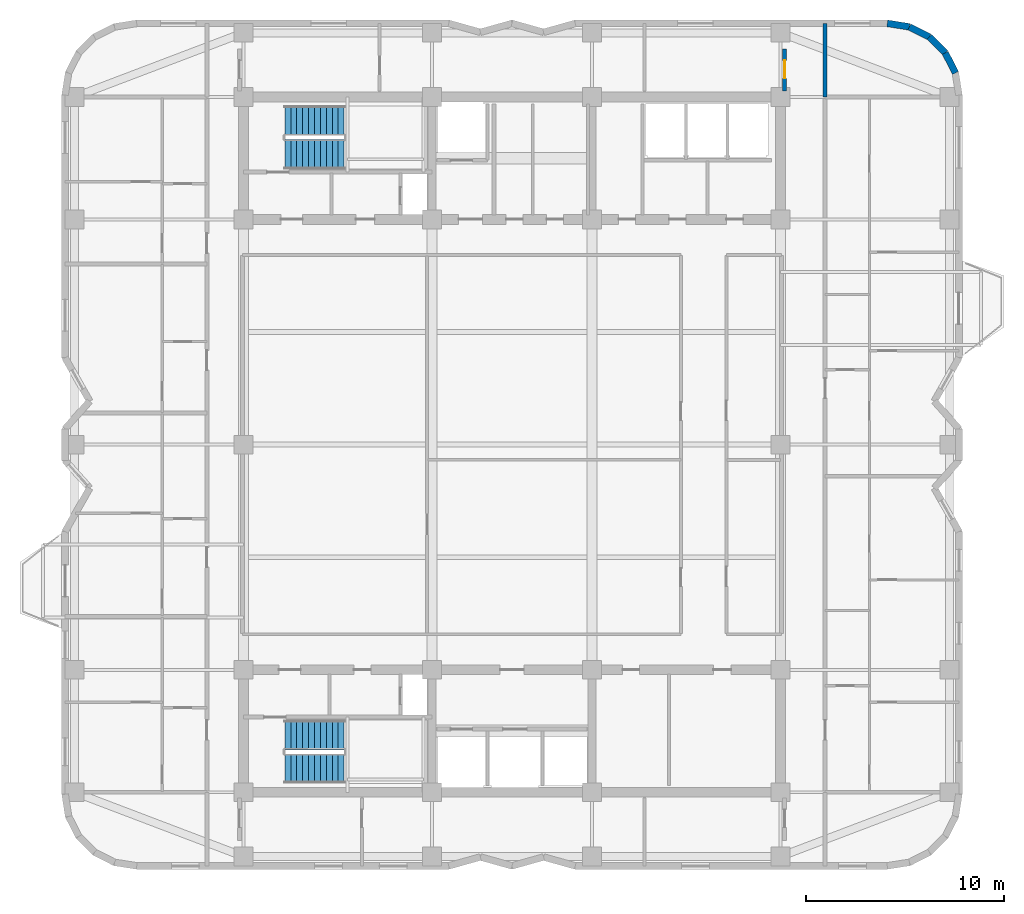
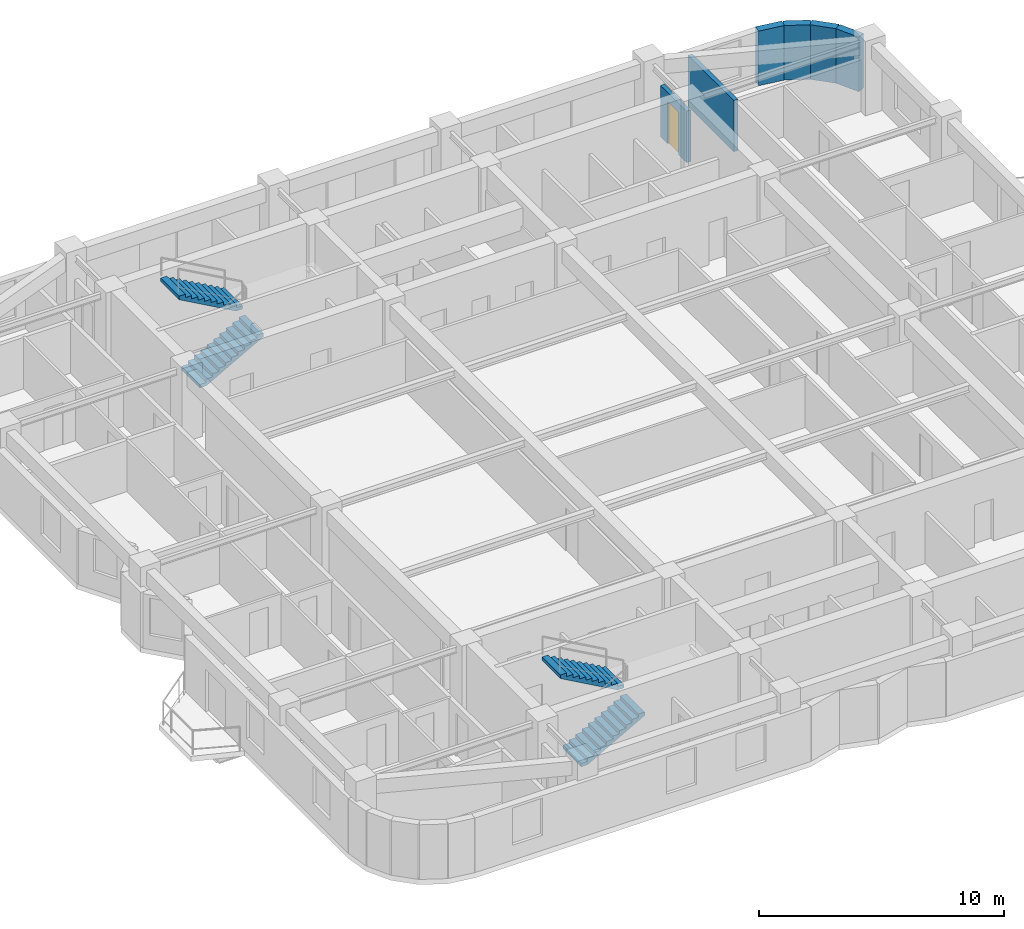
# One storey, part 7 of 9: 6 walls, 4 stair flights, 1 door, 1 opening, 2 elements without a shape of their own.
"""IFC4 building model written with IfcOpenShell, lengths in metres."""

import ifcopenshell
import ifcopenshell.guid

model = None  # the IFC model being written
_history = None  # IfcOwnerHistory: only IFC2X3 demands one
_inside = {}  # id of a spatial element -> (the spatial element, [elements in it])
_under = {}  # id of a project, library or spatial element -> (it, [spatial elements below it])
_declared = {}  # id of a project -> (the project, [libraries it declares])
_typed = {}  # id of a type object -> (the type object, [elements of that type])
_made_of = {}  # id of a material, layer set ... -> (it, [elements and type objects made of it])


def new_model(schema):
    """Start an empty IFC model of exactly this schema.

    Asked for "IFC4X3", IfcOpenShell would pick the latest addendum, in which some entities
    have other attributes; the version numbers below select the first issue.
    IFC2X3 requires an IfcOwnerHistory on every rooted entity: one is made here for all.
    """
    global model, _history
    if schema == "IFC4X3":
        model = ifcopenshell.file(schema_version=(4, 3, 0, 0))
    else:
        model = ifcopenshell.file(schema=schema)
    _inside.clear()
    _under.clear()
    _declared.clear()
    _typed.clear()
    _made_of.clear()
    _history = None
    if model.schema == "IFC2X3":
        org = make("IfcOrganization", Name="unknown")
        user = make(
            "IfcPersonAndOrganization",
            ThePerson=make("IfcPerson", FamilyName="unknown"),
            TheOrganization=org,
        )
        app = make(
            "IfcApplication",
            ApplicationDeveloper=org,
            Version="unknown",
            ApplicationFullName="unknown",
            ApplicationIdentifier="unknown",
        )
        _history = make(
            "IfcOwnerHistory",
            OwningUser=user,
            OwningApplication=app,
            ChangeAction="ADDED",
            CreationDate=0,
        )
    return model


def make(cls, **values):
    """One entity of the class cls with the attributes given. An attribute that is None is left unset."""
    return model.create_entity(
        cls, **{name: value for name, value in values.items() if value is not None}
    )


def rooted(cls, **values):
    """An entity with a GlobalId (a new one), such as an element, a storey or a relation."""
    return make(cls, GlobalId=ifcopenshell.guid.new(), OwnerHistory=_history, **values)


def si_unit(unit_type, name, prefix=None):
    """IfcSIUnit, for example si_unit("LENGTHUNIT", "METRE", prefix="MILLI")."""
    return make("IfcSIUnit", UnitType=unit_type, Prefix=prefix, Name=name)


def assignment(units):
    """IfcUnitAssignment: the units of a project."""
    return None if units is None else make("IfcUnitAssignment", Units=units)


def point(xyz):
    """IfcCartesianPoint."""
    return None if xyz is None else make("IfcCartesianPoint", Coordinates=xyz)


def direction(xyz):
    """IfcDirection."""
    return None if xyz is None else make("IfcDirection", DirectionRatios=xyz)


def frame(location, z_axis=None, x_axis=None):
    """IfcAxis2Placement3D, a coordinate frame: its origin and axes. An axis left out is left unset."""
    return make(
        "IfcAxis2Placement3D",
        Location=point(location),
        Axis=direction(z_axis),
        RefDirection=direction(x_axis),
    )


def frame_2d(location, x_axis=None):
    """IfcAxis2Placement2D, a coordinate frame in the plane: its origin and x axis."""
    return make(
        "IfcAxis2Placement2D", Location=point(location), RefDirection=direction(x_axis)
    )


def origin():
    """The frame at (0, 0, 0) with its axes left unset."""
    return frame((0.0, 0.0, 0.0))


def place(relative_to, where):
    """IfcLocalPlacement: puts the frame where relative to a parent placement (None: the world)."""
    return make(
        "IfcLocalPlacement", PlacementRelTo=relative_to, RelativePlacement=where
    )


def context(
    kind, dimensions, precision=None, world=None, true_north=None, identifier=None
):
    """IfcGeometricRepresentationContext, for example the 3D "Model" context."""
    return make(
        "IfcGeometricRepresentationContext",
        ContextIdentifier=identifier,
        ContextType=kind,
        CoordinateSpaceDimension=dimensions,
        Precision=precision,
        WorldCoordinateSystem=world,
        TrueNorth=true_north,
    )


def subcontext(parent, identifier, kind, view, scale=None):
    """IfcGeometricRepresentationSubContext, for example "Body" below "Model"."""
    return make(
        "IfcGeometricRepresentationSubContext",
        ContextIdentifier=identifier,
        ContextType=kind,
        ParentContext=parent,
        TargetScale=scale,
        TargetView=view,
    )


def project(units=None, contexts=None):
    """IfcProject with its units and contexts."""
    return rooted(
        "IfcProject",
        Name="project",
        RepresentationContexts=contexts,
        UnitsInContext=assignment(units),
    )


def spatial(cls, under=None, at=None, **own):
    """A site, building, storey or space (cls), placed at a placement, below another one or the project."""
    s = rooted(cls, ObjectPlacement=at, **own)
    if under is not None:
        _under.setdefault(under.id(), (under, []))[1].append(s)
    return s


def polyline(points):
    """IfcPolyline through the points."""
    return make("IfcPolyline", Points=[point(p) for p in points])


def profile(cls, at=None, kind="AREA", **sizes):
    """A parametric profile (cls). Its sizes go by their IFC names, for example OverallWidth=200.0."""
    return make(cls, ProfileType=kind, Position=at, **sizes)


def rectangle(**sizes):
    """IfcRectangleProfileDef."""
    return profile("IfcRectangleProfileDef", **sizes)


def outline(outer, holes=None, kind="AREA"):
    """IfcArbitraryClosedProfileDef: a profile drawn as a closed curve; with holes, ...WithVoids."""
    if holes is None:
        return make("IfcArbitraryClosedProfileDef", ProfileType=kind, OuterCurve=outer)
    return make(
        "IfcArbitraryProfileDefWithVoids",
        ProfileType=kind,
        OuterCurve=outer,
        InnerCurves=holes,
    )


def extrude(swept, where, along, depth):
    """IfcExtrudedAreaSolid: the profile swept, set in the frame where, extruded along a direction by depth."""
    return make(
        "IfcExtrudedAreaSolid",
        SweptArea=swept,
        Position=where,
        ExtrudedDirection=direction(along),
        Depth=depth,
    )


def shape(context_of_items, identifier, shape_type, items):
    """IfcShapeRepresentation: the items that make up one representation, for example the "Body"."""
    return make(
        "IfcShapeRepresentation",
        ContextOfItems=context_of_items,
        RepresentationIdentifier=identifier,
        RepresentationType=shape_type,
        Items=items,
    )


def material(Name=None, Category=None):
    """IfcMaterial."""
    return make("IfcMaterial", Name=Name, Category=Category)


def layer(
    of_material, thickness, ventilated=None, Name=None, Category=None, Priority=None
):
    """IfcMaterialLayer: one layer of a wall or slab, of a material (None: an air gap)."""
    return make(
        "IfcMaterialLayer",
        Material=of_material,
        LayerThickness=thickness,
        IsVentilated=ventilated,
        Name=Name,
        Category=Category,
        Priority=Priority,
    )


def layer_set(layers, Name=None):
    """IfcMaterialLayerSet."""
    return make("IfcMaterialLayerSet", MaterialLayers=layers, LayerSetName=Name)


def made_of(thing, what):
    """Note that an element or type object is made of a material, layer set ...; save() writes the relation."""
    if what is not None:
        _made_of.setdefault(what.id(), (what, []))[1].append(thing)
    return thing


def type_object(cls, material=None, **own):
    """A type object (cls), such as IfcWallType, which elements share."""
    return made_of(rooted(cls, **own), material)


def element(
    cls,
    number,
    at=None,
    inside=None,
    cuts=None,
    type_object=None,
    material=None,
    context=None,
    identifier="Body",
    shape_type=None,
    held_by="IfcProductDefinitionShape",
    body=None,
    shapes=None,
    **own,
):
    """One element of the class cls, such as IfcWall. Its Tag is "e" and its number.

    at: its placement. inside: the storey or other place that contains it. cuts: it is an
    opening in that element (IfcRelVoidsElement). A single representation is given by context,
    identifier, shape_type and body (its items); several are given by shapes. held_by: the class
    of the entity that holds the representations. save() writes the other relations.
    """
    e = rooted(cls, Tag="e%d" % number, ObjectPlacement=at, **own)
    if body is not None:
        shapes = [shape(context, identifier, shape_type, body)]
    if shapes is not None:
        e.Representation = make(held_by, Representations=shapes)
    if inside is not None:
        _inside.setdefault(inside.id(), (inside, []))[1].append(e)
    if cuts is not None:
        rooted(
            "IfcRelVoidsElement", RelatingBuildingElement=cuts, RelatedOpeningElement=e
        )
    if type_object is not None:
        _typed.setdefault(type_object.id(), (type_object, []))[1].append(e)
    return made_of(e, material)


def fill(opening, filler):
    """IfcRelFillsElement: the door or window that sits in an opening."""
    return rooted(
        "IfcRelFillsElement",
        RelatingOpeningElement=opening,
        RelatedBuildingElement=filler,
    )


def aggregate(whole, parts):
    """IfcRelAggregates: a whole, such as a stair, and the parts it consists of."""
    return rooted("IfcRelAggregates", RelatingObject=whole, RelatedObjects=parts)


def save(model, path):
    """Write the relations noted so far, then the file.

    IfcRelAggregates (storeys below a building ...), IfcRelContainedInSpatialStructure (elements
    in a storey), IfcRelDefinesByType, IfcRelAssociatesMaterial and IfcRelDeclares: one each for
    every whole, place, type object, material and project.
    """
    for whole, parts in _under.values():
        aggregate(whole, parts)
    for where, things in _inside.values():
        rooted(
            "IfcRelContainedInSpatialStructure",
            RelatedElements=things,
            RelatingStructure=where,
        )
    for kind, things in _typed.values():
        rooted("IfcRelDefinesByType", RelatedObjects=things, RelatingType=kind)
    for what, things in _made_of.values():
        rooted("IfcRelAssociatesMaterial", RelatedObjects=things, RelatingMaterial=what)
    for by, libraries in _declared.values():
        rooted("IfcRelDeclares", RelatingContext=by, RelatedDefinitions=libraries)
    model.write(path)


model = new_model("IFC4")

# Units and contexts
model_context = context("Model", 3, precision=1e-05, world=origin(), true_north=direction((0.0, 1.0)))
body_context = subcontext(model_context, "Body", "Model", "MODEL_VIEW")
ifc_project = project(units=[si_unit("LENGTHUNIT", "METRE"), si_unit("AREAUNIT", "SQUARE_METRE"), si_unit("VOLUMEUNIT", "CUBIC_METRE"), si_unit("PLANEANGLEUNIT", "RADIAN"), si_unit("MASSUNIT", "GRAM", prefix="KILO")], contexts=[model_context])

# Site, building, storey
site_placement = place(None, origin())
site = spatial("IfcSite", under=ifc_project, at=site_placement, CompositionType="ELEMENT")
building_placement = place(site_placement, origin())
building = spatial("IfcBuilding", under=site, at=building_placement, Name="Svetorya Sky Lyceum", CompositionType="ELEMENT")
storey_placement = place(building_placement, frame((0.0, 0.0, 170.0)))
storey = spatial("IfcBuildingStorey", under=building, at=storey_placement, Name="L42", CompositionType="ELEMENT", Elevation=170.0)

# Walls
ifc_material_1 = material(Name="Putilovo limestone rainscreen on autoclaved cellular masonry", Category="masonry")
ifc_layer_1 = layer(ifc_material_1, 0.340087890625)
ifc_layer_set_1 = layer_set([ifc_layer_1], Name="Putilovo limestone rainscreen on autoclaved cellular masonry")
wall_type_1 = type_object("IfcWallType", Name="WL-EXT-340", PredefinedType="SOLIDWALL", material=ifc_layer_set_1)
wall_1_placement = place(storey_placement, frame((61.65234375, 47.021728515625, 0.0), z_axis=(0.0, 0.0, 1.0), x_axis=(-0.453993402883, 0.891005044957, 0.0)))
element("IfcWall", 1, at=wall_1_placement, inside=storey, type_object=wall_type_1, Name="L42 Limestone Exterior Wall 25M", PredefinedType="SOLIDWALL", context=body_context, shape_type="SweptSolid", body=[
    extrude(rectangle(XDim=1.1357421875, YDim=0.340087890625, at=frame_2d((0.56787109375, 0.0))), origin(), (0.0, 0.0, 1.0), 2.719970703125),
])
wall_2_placement = place(storey_placement, frame((61.13671875, 48.03369140625, 0.0), z_axis=(0.0, 0.0, 1.0), x_axis=(-0.707106781187, 0.707106781187, 0.0)))
element("IfcWall", 2, at=wall_2_placement, inside=storey, type_object=wall_type_1, Name="L42 Limestone Exterior Wall 26M", PredefinedType="SOLIDWALL", context=body_context, shape_type="SweptSolid", body=[
    extrude(rectangle(XDim=1.135498046875, YDim=0.340087890625, at=frame_2d((0.56787109375, 0.0))), origin(), (0.0, 0.0, 1.0), 2.719970703125),
])
for number, where, z_axis, x_axis, name in (
    (3, (60.333740234375, 48.836669921875, 0.0), (0.0, 0.0, 1.0), (-0.891005044957, 0.453993402883, 0.0), "L42 Limestone Exterior Wall 27M"),
    (4, (59.32177734375, 49.352294921875, 0.0), (0.0, 0.0, 1.0), (-0.987680916907, 0.156481329164, 0.0), "L42 Limestone Exterior Wall 28M"),
):
    element("IfcWall", number, at=place(storey_placement, frame(where, z_axis=z_axis, x_axis=x_axis)), inside=storey, type_object=wall_type_1, Name=name, PredefinedType="SOLIDWALL", context=body_context, shape_type="SweptSolid", body=[
        extrude(rectangle(XDim=1.1357421875, YDim=0.340087890625, at=frame_2d((0.56787109375, 0.0))), origin(), (0.0, 0.0, 1.0), 2.719970703125),
    ])
ifc_material_2 = material(Name="Autoclaved cellular masonry blockwork with gypsum plaster", Category="masonry")
ifc_layer_2 = layer(ifc_material_2, 0.199951171875)
ifc_layer_set_2 = layer_set([ifc_layer_2], Name="Autoclaved cellular masonry blockwork with gypsum plaster")
wall_type_2 = type_object("IfcWallType", Name="WL-PART-200", PredefinedType="PARTITIONING", material=ifc_layer_set_2)
wall_3_placement = place(storey_placement, frame((55.050048828125, 45.800048828125, 0.0), z_axis=(0.0, 0.0, 1.0), x_axis=(0.0, 1.0, 0.0)))
element("IfcWall", 5, at=wall_3_placement, inside=storey, type_object=wall_type_2, Name="L42 Interior Partition EC-NE-END", PredefinedType="PARTITIONING", context=body_context, shape_type="SweptSolid", body=[
    extrude(rectangle(XDim=3.72998046875, YDim=0.199951171875, at=frame_2d((1.864990234375, 0.0))), origin(), (0.0, 0.0, 1.0), 2.550048828125),
])

# Wall, opening, door
wall_4_placement = place(storey_placement, frame((53.0, 46.10009765625, 0.0), z_axis=(0.0, 0.0, 1.0), x_axis=(0.0, 1.0, 0.0)))
wall_4 = element("IfcWall", 6, at=wall_4_placement, inside=storey, type_object=wall_type_2, Name="L42 Interior Partition N-EE", PredefinedType="PARTITIONING", context=body_context, shape_type="SweptSolid", body=[
    extrude(rectangle(XDim=2.1298828125, YDim=0.199951171875, at=frame_2d((1.06494140625, 0.0))), origin(), (0.0, 0.0, 1.0), 2.550048828125),
])
opening_placement = place(wall_4_placement, frame((0.64990234375, 0.0, 0.0)))
opening = element("IfcOpeningElement", 7, at=opening_placement, cuts=wall_4, Name="Opening D-RM1", PredefinedType="OPENING", context=body_context, shape_type="SweptSolid", body=[
    extrude(rectangle(XDim=0.89990234375, YDim=2.10009765625, at=frame_2d((0.449951171875, 1.050048828125))), frame((0.0, 0.10986328125, 0.0), z_axis=(0.0, -1.0, 0.0), x_axis=(1.0, 0.0, 0.0)), (0.0, 0.0, 1.0), 0.219970703125),
])
ifc_material_3 = material(Name="Lacquered birch veneer internal door")
door_type = type_object("IfcDoorType", Name="DR-INT-900", OperationType="SINGLE_SWING_LEFT", PredefinedType="DOOR", material=ifc_material_3)
door_placement = place(opening_placement, origin())
door = element("IfcDoor", 8, at=door_placement, inside=storey, type_object=door_type, Name="L42 North Meeting Door", OperationType="SINGLE_SWING_LEFT", OverallHeight=2.10009765625, OverallWidth=0.89990234375, PredefinedType="DOOR", context=body_context, shape_type="SweptSolid", body=[
    extrude(rectangle(XDim=0.89990234375, YDim=2.10009765625, at=frame_2d((0.449951171875, 1.050048828125))), frame((0.0, 0.02490234375, 0.0), z_axis=(0.0, -1.0, 0.0), x_axis=(1.0, 0.0, 0.0)), (0.0, 0.0, 1.0), 0.050048828125),
])
fill(opening, door)

# Stair, stair flights
ifc_material_4 = material(Name="Concrete C40/50", Category="concrete")
stair_type_1 = type_object("IfcStairType", Name="STR-ST-N", PredefinedType="HALF_TURN_STAIR", material=ifc_material_4)
stair_1_placement = place(storey_placement, origin())
stair_1 = element("IfcStair", 9, at=stair_1_placement, inside=storey, type_object=stair_type_1, Name="L42 North Core Smoke-Free Exit Stair N3", PredefinedType="HALF_TURN_STAIR")
stair_flight_type_1 = type_object("IfcStairFlightType", Name="SFL-ST-N", PredefinedType="STRAIGHT", material=ifc_material_4)
stair_flight_1_placement = place(storey_placement, frame((27.699951171875, 42.89990234375, 0.0), z_axis=(0.0, 0.0, 1.0), x_axis=(1.0, 0.0, 0.0)))
stair_flight_1 = element("IfcStairFlight", 10, at=stair_flight_1_placement, type_object=stair_flight_type_1, Name="ST-N flight 1", NumberOfRisers=11, NumberOfTreads=10, PredefinedType="STRAIGHT", RiserHeight=0.168181818, TreadLength=0.3, context=body_context, shape_type="SweptSolid", body=[
    extrude(outline(polyline([(0.0, 0.0), (0.0, 0.168212890625), (0.300048828125, 0.168212890625), (0.300048828125, 0.33642578125), (0.60009765625, 0.33642578125), (0.60009765625, 0.504638671875), (0.89990234375, 0.504638671875), (0.89990234375, 0.672607421875), (1.199951171875, 0.672607421875), (1.199951171875, 0.8408203125), (1.5, 0.8408203125), (1.5, 1.009033203125), (1.800048828125, 1.009033203125), (1.800048828125, 1.17724609375), (2.10009765625, 1.17724609375), (2.10009765625, 1.345458984375), (2.39990234375, 1.345458984375), (2.39990234375, 1.513671875), (2.699951171875, 1.513671875), (2.699951171875, 1.681884765625), (3.0, 1.681884765625), (3.0, 1.85009765625), (3.0, 1.510009765625), (0.306640625, 0.0), (0.0, 0.0)])), frame((0.0, 0.75, 0.0), z_axis=(0.0, -1.0, 0.0), x_axis=(1.0, 0.0, 0.0)), (0.0, 0.0, 1.0), 1.5),
])
stair_flight_2_placement = place(storey_placement, frame((30.699951171875, 44.60009765625, 1.85009765625), z_axis=(0.0, 0.0, 1.0), x_axis=(-1.0, 0.0, 0.0)))
stair_flight_2 = element("IfcStairFlight", 11, at=stair_flight_2_placement, type_object=stair_flight_type_1, Name="ST-N flight 2", NumberOfRisers=11, NumberOfTreads=10, PredefinedType="STRAIGHT", RiserHeight=0.168181818, TreadLength=0.3, context=body_context, shape_type="SweptSolid", body=[
    extrude(outline(polyline([(0.0, 0.0), (0.0, 0.168212890625), (0.300048828125, 0.168212890625), (0.300048828125, 0.33642578125), (0.60009765625, 0.33642578125), (0.60009765625, 0.504638671875), (0.89990234375, 0.504638671875), (0.89990234375, 0.672607421875), (1.199951171875, 0.672607421875), (1.199951171875, 0.8408203125), (1.5, 0.8408203125), (1.5, 1.009033203125), (1.800048828125, 1.009033203125), (1.800048828125, 1.17724609375), (2.10009765625, 1.17724609375), (2.10009765625, 1.345458984375), (2.39990234375, 1.345458984375), (2.39990234375, 1.513671875), (2.699951171875, 1.513671875), (2.699951171875, 1.681884765625), (3.0, 1.681884765625), (3.0, 1.85009765625), (3.0, 1.510009765625), (0.306640625, 0.0), (0.0, 0.0)])), frame((0.0, 0.75, 0.0), z_axis=(0.0, -1.0, 0.0), x_axis=(1.0, 0.0, 0.0)), (0.0, 0.0, 1.0), 1.5),
])
aggregate(stair_1, [stair_flight_1, stair_flight_2])

stair_type_2 = type_object("IfcStairType", Name="STR-ST-S", PredefinedType="HALF_TURN_STAIR", material=ifc_material_4)
stair_2_placement = place(storey_placement, origin())
stair_2 = element("IfcStair", 12, at=stair_2_placement, inside=storey, type_object=stair_type_2, Name="L42 South Core Smoke-Free Exit Stair N2", PredefinedType="HALF_TURN_STAIR")
stair_flight_type_2 = type_object("IfcStairFlightType", Name="SFL-ST-S", PredefinedType="STRAIGHT", material=ifc_material_4)
stair_flight_3_placement = place(storey_placement, frame((27.699951171875, 11.800048828125, 0.0), z_axis=(0.0, 0.0, 1.0), x_axis=(1.0, 0.0, 0.0)))
stair_flight_3 = element("IfcStairFlight", 13, at=stair_flight_3_placement, type_object=stair_flight_type_2, Name="ST-S flight 1", NumberOfRisers=11, NumberOfTreads=10, PredefinedType="STRAIGHT", RiserHeight=0.168181818, TreadLength=0.3, context=body_context, shape_type="SweptSolid", body=[
    extrude(outline(polyline([(0.0, 0.0), (0.0, 0.168212890625), (0.300048828125, 0.168212890625), (0.300048828125, 0.33642578125), (0.60009765625, 0.33642578125), (0.60009765625, 0.504638671875), (0.89990234375, 0.504638671875), (0.89990234375, 0.672607421875), (1.199951171875, 0.672607421875), (1.199951171875, 0.8408203125), (1.5, 0.8408203125), (1.5, 1.009033203125), (1.800048828125, 1.009033203125), (1.800048828125, 1.17724609375), (2.10009765625, 1.17724609375), (2.10009765625, 1.345458984375), (2.39990234375, 1.345458984375), (2.39990234375, 1.513671875), (2.699951171875, 1.513671875), (2.699951171875, 1.681884765625), (3.0, 1.681884765625), (3.0, 1.85009765625), (3.0, 1.510009765625), (0.306640625, 0.0), (0.0, 0.0)])), frame((0.0, 0.75, 0.0), z_axis=(0.0, -1.0, 0.0), x_axis=(1.0, 0.0, 0.0)), (0.0, 0.0, 1.0), 1.5),
])
stair_flight_4_placement = place(storey_placement, frame((30.699951171875, 13.5, 1.85009765625), z_axis=(0.0, 0.0, 1.0), x_axis=(-1.0, 0.0, 0.0)))
stair_flight_4 = element("IfcStairFlight", 14, at=stair_flight_4_placement, type_object=stair_flight_type_2, Name="ST-S flight 2", NumberOfRisers=11, NumberOfTreads=10, PredefinedType="STRAIGHT", RiserHeight=0.168181818, TreadLength=0.3, context=body_context, shape_type="SweptSolid", body=[
    extrude(outline(polyline([(0.0, 0.0), (0.0, 0.168212890625), (0.300048828125, 0.168212890625), (0.300048828125, 0.33642578125), (0.60009765625, 0.33642578125), (0.60009765625, 0.504638671875), (0.89990234375, 0.504638671875), (0.89990234375, 0.672607421875), (1.199951171875, 0.672607421875), (1.199951171875, 0.8408203125), (1.5, 0.8408203125), (1.5, 1.009033203125), (1.800048828125, 1.009033203125), (1.800048828125, 1.17724609375), (2.10009765625, 1.17724609375), (2.10009765625, 1.345458984375), (2.39990234375, 1.345458984375), (2.39990234375, 1.513671875), (2.699951171875, 1.513671875), (2.699951171875, 1.681884765625), (3.0, 1.681884765625), (3.0, 1.85009765625), (3.0, 1.510009765625), (0.306640625, 0.0), (0.0, 0.0)])), frame((0.0, 0.75, 0.0), z_axis=(0.0, -1.0, 0.0), x_axis=(1.0, 0.0, 0.0)), (0.0, 0.0, 1.0), 1.5),
])
aggregate(stair_2, [stair_flight_3, stair_flight_4])

save(model, "model.ifc")
